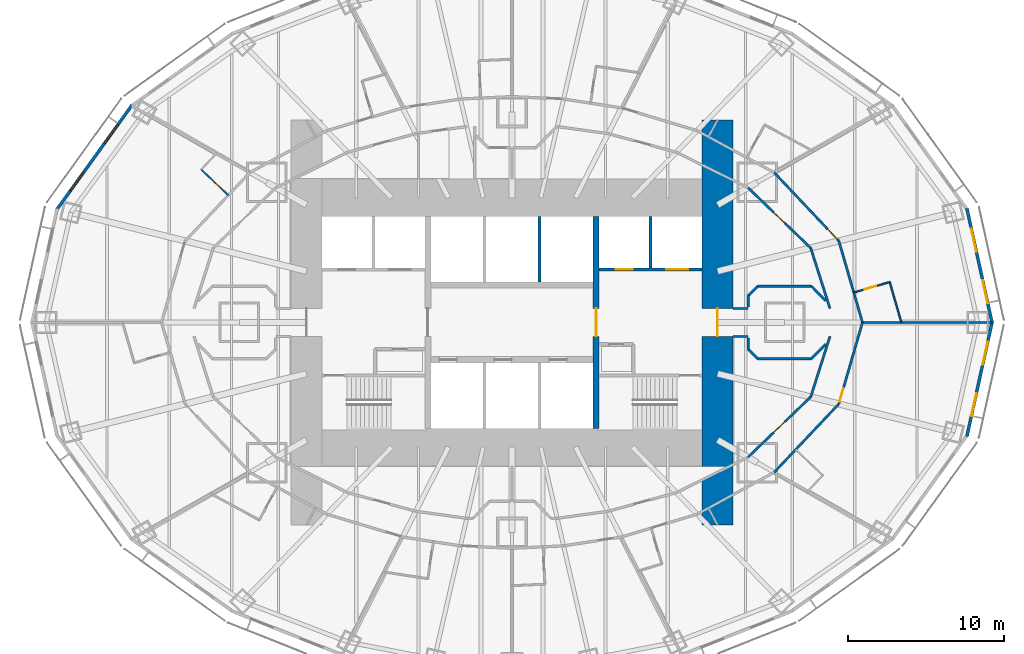
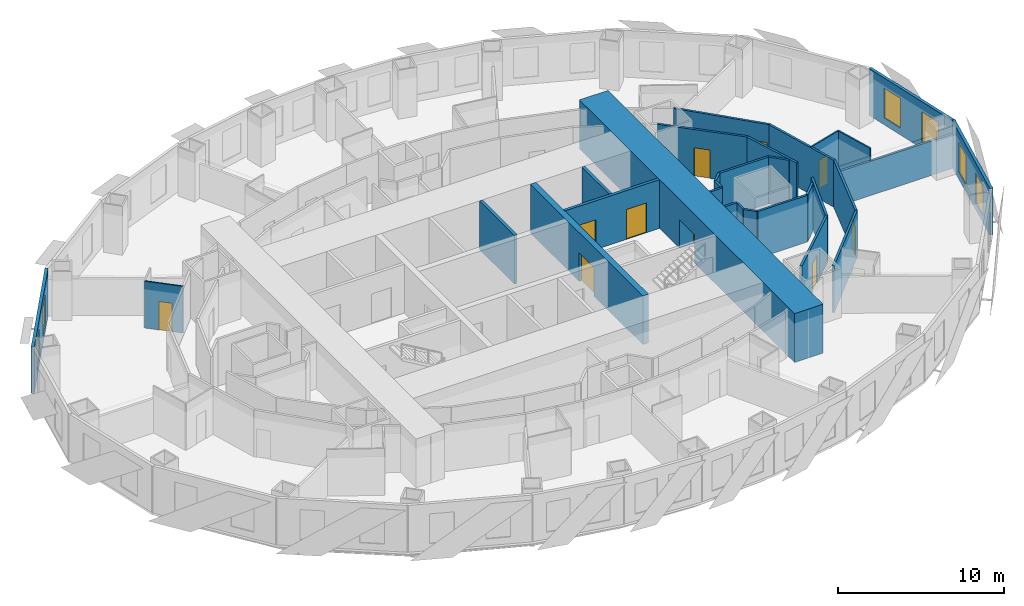
# One storey, part 8 of 15: 30 walls, 10 doors, 6 windows, 16 openings.
"""IFC4 building model written with IfcOpenShell, lengths in metres."""

from ifc_helpers import new_model, si_unit, direction, frame, frame_2d, origin, place, context, subcontext, project, spatial, rectangle, extrude, material, layer, layer_set, type_object, element, fill, save


model = new_model("IFC4")

# Units and contexts
model_context = context("Model", 3, precision=1e-05, world=origin(), true_north=direction((0.0, 1.0)))
body_context = subcontext(model_context, "Body", "Model", "MODEL_VIEW")
ifc_project = project(units=[si_unit("LENGTHUNIT", "METRE"), si_unit("AREAUNIT", "SQUARE_METRE"), si_unit("VOLUMEUNIT", "CUBIC_METRE"), si_unit("PLANEANGLEUNIT", "RADIAN"), si_unit("MASSUNIT", "GRAM", prefix="KILO")], contexts=[model_context])

# Site, building, storey
site_placement = place(None, origin())
site = spatial("IfcSite", under=ifc_project, at=site_placement, CompositionType="ELEMENT")
building_placement = place(site_placement, origin())
building = spatial("IfcBuilding", under=site, at=building_placement, Name="Lantaw Convention Tower", CompositionType="ELEMENT")
storey_placement = place(building_placement, frame((0.0, 0.0, 87.39990234375)))
storey = spatial("IfcBuildingStorey", under=building, at=storey_placement, Name="L20", CompositionType="ELEMENT", Elevation=87.39990234375)

# Wall, opening, door
ifc_material_1 = material(Name="Moisture resistant gypsum board on steel studs", Category="steel")
ifc_layer_1 = layer(ifc_material_1, 0.10009765625)
ifc_layer_set_1 = layer_set([ifc_layer_1], Name="Bathroom wall 100")
wall_type_1 = type_object("IfcWallType", Name="Bathroom wall 100", PredefinedType="PARTITIONING", material=ifc_layer_set_1)
wall_1_placement = place(storey_placement, frame((21.943359375, 1.9208984375, 0.0), z_axis=(0.0, 0.0, 1.0), x_axis=(0.960496317326, 0.278292695563, 0.0)))
wall_1 = element("IfcWall", 1, at=wall_1_placement, inside=storey, type_object=wall_type_1, Name="Bathroom wall 100", PredefinedType="PARTITIONING", context=body_context, shape_type="SweptSolid", body=[
    extrude(rectangle(XDim=2.400146484375, YDim=0.10009765625, at=frame_2d((1.2001953125, 0.0))), origin(), (0.0, 0.0, 1.0), 3.4501953125),
])
opening_1_placement = place(wall_1_placement, frame((0.699951171875, 0.0, 0.0)))
opening_1 = element("IfcOpeningElement", 2, at=opening_1_placement, cuts=wall_1, Name="Opening L20.26", PredefinedType="OPENING", context=body_context, shape_type="SweptSolid", body=[
    extrude(rectangle(XDim=0.800048828125, YDim=2.10009765625, at=frame_2d((0.39990234375, 1.050048828125))), frame((0.0, 0.06005859375, 0.0), z_axis=(0.0, -1.0, 0.0), x_axis=(1.0, 0.0, 0.0)), (0.0, 0.0, 1.0), 0.1201171875),
])
ifc_material_2 = material(Name="Timber", Category="wood")
door_type_1 = type_object("IfcDoorType", Name="Bathroom door 800", OperationType="SINGLE_SWING_LEFT", PredefinedType="DOOR", material=ifc_material_2)
door_1_placement = place(opening_1_placement, origin())
door_1 = element("IfcDoor", 3, at=door_1_placement, inside=storey, type_object=door_type_1, Name="Bathroom door", OperationType="SINGLE_SWING_LEFT", OverallHeight=2.10009765625, OverallWidth=0.800048828125, PredefinedType="DOOR", context=body_context, shape_type="SweptSolid", body=[
    extrude(rectangle(XDim=0.800048828125, YDim=2.10009765625, at=frame_2d((0.39990234375, 1.050048828125))), frame((0.0, 0.02490234375, 0.0), z_axis=(0.0, -1.0, 0.0), x_axis=(1.0, 0.0, 0.0)), (0.0, 0.0, 1.0), 0.050048828125),
])
fill(opening_1, door_1)

# Wall
wall_2_placement = place(storey_placement, frame((24.248779296875, 2.5888671875, 0.0), z_axis=(0.0, 0.0, 1.0), x_axis=(0.278260412958, -0.960505670249, 0.0)))
element("IfcWall", 4, at=wall_2_placement, inside=storey, type_object=wall_type_1, Name="Bathroom wall 100", PredefinedType="PARTITIONING", context=body_context, shape_type="SweptSolid", body=[
    extrude(rectangle(XDim=2.6953125, YDim=0.10009765625, at=frame_2d((1.34765625, 0.0))), origin(), (0.0, 0.0, 1.0), 3.4501953125),
])

# Wall, opening, door
wall_3_placement = place(storey_placement, frame((-18.209228515625, 8.166748046875, 0.0), z_axis=(0.0, 0.0, 1.0), x_axis=(-0.726567238928, 0.687095369885, 0.0)))
wall_3 = element("IfcWall", 5, at=wall_3_placement, inside=storey, type_object=wall_type_1, Name="Bathroom wall 100", PredefinedType="PARTITIONING", context=body_context, shape_type="SweptSolid", body=[
    extrude(rectangle(XDim=2.39990234375, YDim=0.10009765625, at=frame_2d((1.199951171875, 0.0))), origin(), (0.0, 0.0, 1.0), 3.4501953125),
])
opening_2_placement = place(wall_3_placement, frame((0.699951171875, 0.0, 0.0)))
opening_2 = element("IfcOpeningElement", 6, at=opening_2_placement, cuts=wall_3, Name="Opening L20.36", PredefinedType="OPENING", context=body_context, shape_type="SweptSolid", body=[
    extrude(rectangle(XDim=0.800048828125, YDim=2.10009765625, at=frame_2d((0.39990234375, 1.050048828125))), frame((0.0, 0.06005859375, 0.0), z_axis=(0.0, -1.0, 0.0), x_axis=(1.0, 0.0, 0.0)), (0.0, 0.0, 1.0), 0.1201171875),
])
door_2_placement = place(opening_2_placement, origin())
door_2 = element("IfcDoor", 7, at=door_2_placement, inside=storey, type_object=door_type_1, Name="Bathroom door", OperationType="SINGLE_SWING_LEFT", OverallHeight=2.10009765625, OverallWidth=0.800048828125, PredefinedType="DOOR", context=body_context, shape_type="SweptSolid", body=[
    extrude(rectangle(XDim=0.800048828125, YDim=2.10009765625, at=frame_2d((0.39990234375, 1.050048828125))), frame((0.0, 0.02490234375, 0.0), z_axis=(0.0, -1.0, 0.0), x_axis=(1.0, 0.0, 0.0)), (0.0, 0.0, 1.0), 0.050048828125),
])
fill(opening_2, door_2)

ifc_material_3 = material(Name="Concrete C60/75", Category="concrete")
ifc_layer_2 = layer(ifc_material_3, 2.0)
ifc_layer_set_2 = layer_set([ifc_layer_2], Name="Core wall 2000")
wall_type_2 = type_object("IfcWallType", Name="Core wall 2000", PredefinedType="SHEAR", material=ifc_layer_set_2)
wall_4_placement = place(storey_placement, frame((13.199951171875, -13.0, 0.0), z_axis=(0.0, 0.0, 1.0), x_axis=(0.0, 1.0, 0.0)))
wall_4 = element("IfcWall", 8, at=wall_4_placement, inside=storey, type_object=wall_type_2, Name="Core wall E", PredefinedType="SHEAR", context=body_context, shape_type="SweptSolid", body=[
    extrude(rectangle(XDim=26.0, YDim=2.0, at=frame_2d((13.0, 0.0))), origin(), (0.0, 0.0, 1.0), 3.60009765625),
])
opening_3_placement = place(wall_4_placement, frame((12.10009765625, 0.0, 0.0)))
opening_3 = element("IfcOpeningElement", 9, at=opening_3_placement, cuts=wall_4, Name="Opening L20.07", PredefinedType="OPENING", context=body_context, shape_type="SweptSolid", body=[
    extrude(rectangle(XDim=1.800048828125, YDim=2.10009765625, at=frame_2d((0.89990234375, 1.050048828125))), frame((0.0, 1.010009765625, 0.0), z_axis=(0.0, -1.0, 0.0), x_axis=(1.0, 0.0, 0.0)), (0.0, 0.0, 1.0), 2.02001953125),
])
ifc_material_4 = material(Name="Steel, fire rated", Category="steel")
door_type_2 = type_object("IfcDoorType", Name="Lobby double door FD90", OperationType="DOUBLE_DOOR_DOUBLE_SWING", PredefinedType="DOOR", material=ifc_material_4)
door_3_placement = place(opening_3_placement, origin())
door_3 = element("IfcDoor", 10, at=door_3_placement, inside=storey, type_object=door_type_2, Name="Firefighting lobby door", OperationType="DOUBLE_DOOR_DOUBLE_SWING", OverallHeight=2.10009765625, OverallWidth=1.800048828125, PredefinedType="DOOR", context=body_context, shape_type="SweptSolid", body=[
    extrude(rectangle(XDim=1.800048828125, YDim=2.10009765625, at=frame_2d((0.89990234375, 1.050048828125))), frame((0.0, 0.02490234375, 0.0), z_axis=(0.0, -1.0, 0.0), x_axis=(1.0, 0.0, 0.0)), (0.0, 0.0, 1.0), 0.050048828125),
])
fill(opening_3, door_3)

ifc_layer_3 = layer(ifc_material_3, 0.39990234375)
ifc_layer_set_3 = layer_set([ifc_layer_3], Name="Core wall 400")
wall_type_3 = type_object("IfcWallType", Name="Core wall 400", PredefinedType="SHEAR", material=ifc_layer_set_3)
wall_5_placement = place(storey_placement, frame((5.39990234375, -6.800048828125, 0.0), z_axis=(0.0, 0.0, 1.0), x_axis=(0.0, 1.0, 0.0)))
wall_5 = element("IfcWall", 11, at=wall_5_placement, inside=storey, type_object=wall_type_3, Name="Core wall XE", PredefinedType="SHEAR", context=body_context, shape_type="SweptSolid", body=[
    extrude(rectangle(XDim=13.60009765625, YDim=0.39990234375, at=frame_2d((6.800048828125, 0.0))), origin(), (0.0, 0.0, 1.0), 3.60009765625),
])
opening_4_placement = place(wall_5_placement, frame((5.89990234375, 0.0, 0.0)))
opening_4 = element("IfcOpeningElement", 12, at=opening_4_placement, cuts=wall_5, Name="Opening L20.03", PredefinedType="OPENING", context=body_context, shape_type="SweptSolid", body=[
    extrude(rectangle(XDim=1.800048828125, YDim=2.10009765625, at=frame_2d((0.89990234375, 1.050048828125))), frame((0.0, 0.2099609375, 0.0), z_axis=(0.0, -1.0, 0.0), x_axis=(1.0, 0.0, 0.0)), (0.0, 0.0, 1.0), 0.419921875),
])
door_4_placement = place(opening_4_placement, origin())
door_4 = element("IfcDoor", 13, at=door_4_placement, inside=storey, type_object=door_type_2, Name="Lift lobby door", OperationType="DOUBLE_DOOR_DOUBLE_SWING", OverallHeight=2.10009765625, OverallWidth=1.800048828125, PredefinedType="DOOR", context=body_context, shape_type="SweptSolid", body=[
    extrude(rectangle(XDim=1.800048828125, YDim=2.10009765625, at=frame_2d((0.89990234375, 1.050048828125))), frame((0.0, 0.02490234375, 0.0), z_axis=(0.0, -1.0, 0.0), x_axis=(1.0, 0.0, 0.0)), (0.0, 0.0, 1.0), 0.050048828125),
])
fill(opening_4, door_4)

# Wall
ifc_material_5 = material(Name="Gypsum board on steel studs, fire rated", Category="steel")
ifc_layer_4 = layer(ifc_material_5, 0.14990234375)
ifc_layer_set_4 = layer_set([ifc_layer_4], Name="Corridor wall 150 EI 60")
wall_type_4 = type_object("IfcWallType", Name="Corridor wall 150 EI 60", PredefinedType="PARTITIONING", material=ifc_layer_set_4)
wall_6_placement = place(storey_placement, frame((22.5, 0.0, 0.0), z_axis=(0.0, 0.0, 1.0), x_axis=(-0.278247435376, 0.960509429785, 0.0)))
element("IfcWall", 14, at=wall_6_placement, inside=storey, type_object=wall_type_4, Name="Corridor wall 150", PredefinedType="PARTITIONING", context=body_context, shape_type="SweptSolid", body=[
    extrude(rectangle(XDim=5.447021484375, YDim=0.14990234375, at=frame_2d((2.7236328125, 0.0))), origin(), (0.0, 0.0, 1.0), 3.4501953125),
])

# Wall, opening, door
wall_7_placement = place(storey_placement, frame((20.984375, 5.23193359375, 0.0), z_axis=(0.0, 0.0, 1.0), x_axis=(-0.687062608696, 0.726598218916, 0.0)))
wall_7 = element("IfcWall", 15, at=wall_7_placement, inside=storey, type_object=wall_type_4, Name="Corridor wall 150", PredefinedType="PARTITIONING", context=body_context, shape_type="SweptSolid", body=[
    extrude(rectangle(XDim=6.039306640625, YDim=0.14990234375, at=frame_2d((3.01953125, 0.0))), origin(), (0.0, 0.0, 1.0), 3.4501953125),
])
opening_5_placement = place(wall_7_placement, frame((0.14990234375, 0.0, 0.0)))
opening_5 = element("IfcOpeningElement", 16, at=opening_5_placement, cuts=wall_7, Name="Opening L20.27", PredefinedType="OPENING", context=body_context, shape_type="SweptSolid", body=[
    extrude(rectangle(XDim=0.89990234375, YDim=2.10009765625, at=frame_2d((0.449951171875, 1.050048828125))), frame((0.0, 0.0849609375, 0.0), z_axis=(0.0, -1.0, 0.0), x_axis=(1.0, 0.0, 0.0)), (0.0, 0.0, 1.0), 0.169921875),
])
door_type_3 = type_object("IfcDoorType", Name="Guest room entrance door FD30S", OperationType="SINGLE_SWING_LEFT", PredefinedType="DOOR", material=ifc_material_4)
door_5_placement = place(opening_5_placement, origin())
door_5 = element("IfcDoor", 17, at=door_5_placement, inside=storey, type_object=door_type_3, Name="Junior suite entrance door", OperationType="SINGLE_SWING_LEFT", OverallHeight=2.10009765625, OverallWidth=0.89990234375, PredefinedType="DOOR", context=body_context, shape_type="SweptSolid", body=[
    extrude(rectangle(XDim=0.89990234375, YDim=2.10009765625, at=frame_2d((0.449951171875, 1.050048828125))), frame((0.0, 0.02490234375, 0.0), z_axis=(0.0, -1.0, 0.0), x_axis=(1.0, 0.0, 0.0)), (0.0, 0.0, 1.0), 0.050048828125),
])
fill(opening_5, door_5)

# Wall
wall_8_placement = place(storey_placement, frame((16.8349609375, -9.6201171875, 0.0), z_axis=(0.0, 0.0, 1.0), x_axis=(0.687062608696, 0.726598218916, 0.0)))
element("IfcWall", 18, at=wall_8_placement, inside=storey, type_object=wall_type_4, Name="Corridor wall 150", PredefinedType="PARTITIONING", context=body_context, shape_type="SweptSolid", body=[
    extrude(rectangle(XDim=6.039306640625, YDim=0.14990234375, at=frame_2d((3.01953125, 0.0))), origin(), (0.0, 0.0, 1.0), 3.4501953125),
])

# Wall, opening, door
wall_9_placement = place(storey_placement, frame((20.984375, -5.23193359375, 0.0), z_axis=(0.0, 0.0, 1.0), x_axis=(0.278247435376, 0.960509429785, 0.0)))
wall_9 = element("IfcWall", 19, at=wall_9_placement, inside=storey, type_object=wall_type_4, Name="Corridor wall 150", PredefinedType="PARTITIONING", context=body_context, shape_type="SweptSolid", body=[
    extrude(rectangle(XDim=5.447021484375, YDim=0.14990234375, at=frame_2d((2.7236328125, 0.0))), origin(), (0.0, 0.0, 1.0), 3.4501953125),
])
opening_6_placement = place(wall_9_placement, frame((0.14990234375, 0.0, 0.0)))
opening_6 = element("IfcOpeningElement", 20, at=opening_6_placement, cuts=wall_9, Name="Opening L20.49", PredefinedType="OPENING", context=body_context, shape_type="SweptSolid", body=[
    extrude(rectangle(XDim=0.89990234375, YDim=2.10009765625, at=frame_2d((0.449951171875, 1.050048828125))), frame((0.0, 0.0849609375, 0.0), z_axis=(0.0, -1.0, 0.0), x_axis=(1.0, 0.0, 0.0)), (0.0, 0.0, 1.0), 0.169921875),
])
door_6_placement = place(opening_6_placement, origin())
door_6 = element("IfcDoor", 21, at=door_6_placement, inside=storey, type_object=door_type_3, Name="Junior suite entrance door", OperationType="SINGLE_SWING_LEFT", OverallHeight=2.10009765625, OverallWidth=0.89990234375, PredefinedType="DOOR", context=body_context, shape_type="SweptSolid", body=[
    extrude(rectangle(XDim=0.89990234375, YDim=2.10009765625, at=frame_2d((0.449951171875, 1.050048828125))), frame((0.0, 0.02490234375, 0.0), z_axis=(0.0, -1.0, 0.0), x_axis=(1.0, 0.0, 0.0)), (0.0, 0.0, 1.0), 0.050048828125),
])
fill(opening_6, door_6)

# Wall
wall_10_placement = place(storey_placement, frame((20.413330078125, 0.89990234375, 0.0), z_axis=(0.0, 0.0, 1.0), x_axis=(-0.303505448228, 0.952829702988, 0.0)))
element("IfcWall", 22, at=wall_10_placement, inside=storey, type_object=wall_type_4, Name="Corridor wall 150", PredefinedType="PARTITIONING", context=body_context, shape_type="SweptSolid", body=[
    extrude(rectangle(XDim=4.073486328125, YDim=0.14990234375, at=frame_2d((2.03662109375, 0.0))), origin(), (0.0, 0.0, 1.0), 3.4501953125),
])

# Wall, opening, door
wall_11_placement = place(storey_placement, frame((19.177001953125, 4.78125, 0.0), z_axis=(0.0, 0.0, 1.0), x_axis=(-0.720837261072, 0.693104352209, 0.0)))
wall_11 = element("IfcWall", 23, at=wall_11_placement, inside=storey, type_object=wall_type_4, Name="Corridor wall 150", PredefinedType="PARTITIONING", context=body_context, shape_type="SweptSolid", body=[
    extrude(rectangle(XDim=5.590087890625, YDim=0.14990234375, at=frame_2d((2.794921875, 0.0))), origin(), (0.0, 0.0, 1.0), 3.4501953125),
])
opening_7_placement = place(wall_11_placement, frame((2.294921875, 0.0, 0.0)))
opening_7 = element("IfcOpeningElement", 24, at=opening_7_placement, cuts=wall_11, Name="Opening L20.17", PredefinedType="OPENING", context=body_context, shape_type="SweptSolid", body=[
    extrude(rectangle(XDim=1.0, YDim=2.10009765625, at=frame_2d((0.5, 1.050048828125))), frame((0.0, 0.0849609375, 0.0), z_axis=(0.0, -1.0, 0.0), x_axis=(1.0, 0.0, 0.0)), (0.0, 0.0, 1.0), 0.169921875),
])
door_type_4 = type_object("IfcDoorType", Name="Service door 1000 FD30", OperationType="SINGLE_SWING_LEFT", PredefinedType="DOOR", material=ifc_material_4)
door_7_placement = place(opening_7_placement, origin())
door_7 = element("IfcDoor", 25, at=door_7_placement, inside=storey, type_object=door_type_4, Name="Linen store door", OperationType="SINGLE_SWING_LEFT", OverallHeight=2.10009765625, OverallWidth=1.0, PredefinedType="DOOR", context=body_context, shape_type="SweptSolid", body=[
    extrude(rectangle(XDim=1.0, YDim=2.10009765625, at=frame_2d((0.5, 1.050048828125))), frame((0.0, 0.02490234375, 0.0), z_axis=(0.0, -1.0, 0.0), x_axis=(1.0, 0.0, 0.0)), (0.0, 0.0, 1.0), 0.050048828125),
])
fill(opening_7, door_7)

wall_12_placement = place(storey_placement, frame((15.1474609375, -8.65576171875, 0.0), z_axis=(0.0, 0.0, 1.0), x_axis=(0.720837261072, 0.693104352209, 0.0)))
wall_12 = element("IfcWall", 26, at=wall_12_placement, inside=storey, type_object=wall_type_4, Name="Corridor wall 150", PredefinedType="PARTITIONING", context=body_context, shape_type="SweptSolid", body=[
    extrude(rectangle(XDim=5.590087890625, YDim=0.14990234375, at=frame_2d((2.794921875, 0.0))), origin(), (0.0, 0.0, 1.0), 3.4501953125),
])
opening_8_placement = place(wall_12_placement, frame((2.294921875, 0.0, 0.0)))
opening_8 = element("IfcOpeningElement", 27, at=opening_8_placement, cuts=wall_12, Name="Opening L20.25", PredefinedType="OPENING", context=body_context, shape_type="SweptSolid", body=[
    extrude(rectangle(XDim=1.0, YDim=2.10009765625, at=frame_2d((0.5, 1.050048828125))), frame((0.0, 0.0849609375, 0.0), z_axis=(0.0, -1.0, 0.0), x_axis=(1.0, 0.0, 0.0)), (0.0, 0.0, 1.0), 0.169921875),
])
door_8_placement = place(opening_8_placement, origin())
door_8 = element("IfcDoor", 28, at=door_8_placement, inside=storey, type_object=door_type_4, Name="Room service pantry door", OperationType="SINGLE_SWING_LEFT", OverallHeight=2.10009765625, OverallWidth=1.0, PredefinedType="DOOR", context=body_context, shape_type="SweptSolid", body=[
    extrude(rectangle(XDim=1.0, YDim=2.10009765625, at=frame_2d((0.5, 1.050048828125))), frame((0.0, 0.02490234375, 0.0), z_axis=(0.0, -1.0, 0.0), x_axis=(1.0, 0.0, 0.0)), (0.0, 0.0, 1.0), 0.050048828125),
])
fill(opening_8, door_8)

# Walls
wall_13_placement = place(storey_placement, frame((19.177001953125, -4.78125, 0.0), z_axis=(0.0, 0.0, 1.0), x_axis=(0.303505448228, 0.952829702988, 0.0)))
element("IfcWall", 29, at=wall_13_placement, inside=storey, type_object=wall_type_4, Name="Corridor wall 150", PredefinedType="PARTITIONING", context=body_context, shape_type="SweptSolid", body=[
    extrude(rectangle(XDim=4.073486328125, YDim=0.14990234375, at=frame_2d((2.03662109375, 0.0))), origin(), (0.0, 0.0, 1.0), 3.4501953125),
])
for number, where, z_axis, x_axis, name in (
    (30, (14.199951171875, -0.89990234375, 0.0), (0.0, 0.0, 1.0), (1.0, 0.0, 0.0), "Corridor wall 150"),
    (31, (14.199951171875, 0.89990234375, 0.0), (0.0, 0.0, 1.0), (1.0, 0.0, 0.0), "Corridor wall 150"),
):
    element("IfcWall", number, at=place(storey_placement, frame(where, z_axis=z_axis, x_axis=x_axis)), inside=storey, type_object=wall_type_4, Name=name, PredefinedType="PARTITIONING", context=body_context, shape_type="SweptSolid", body=[
        extrude(rectangle(XDim=0.965087890625, YDim=0.14990234375, at=frame_2d((0.482421875, 0.0))), origin(), (0.0, 0.0, 1.0), 3.4501953125),
    ])
wall_14_placement = place(storey_placement, frame((15.175048828125, 1.003173828125, 0.0), z_axis=(0.0, 0.0, 1.0), x_axis=(0.0, 1.0, 0.0)))
element("IfcWall", 32, at=wall_14_placement, inside=storey, type_object=wall_type_4, Name="Corridor wall 150", PredefinedType="PARTITIONING", context=body_context, shape_type="SweptSolid", body=[
    extrude(rectangle(XDim=0.721435546875, YDim=0.14990234375, at=frame_2d((0.36083984375, 0.0))), origin(), (0.0, 0.0, 1.0), 3.4501953125),
])
wall_15_placement = place(storey_placement, frame((15.175048828125, 1.724609375, 0.0), z_axis=(0.0, 0.0, 1.0), x_axis=(0.707106781187, 0.707106781187, 0.0)))
element("IfcWall", 33, at=wall_15_placement, inside=storey, type_object=wall_type_4, Name="Corridor wall 150", PredefinedType="PARTITIONING", context=body_context, shape_type="SweptSolid", body=[
    extrude(rectangle(XDim=0.84912109375, YDim=0.14990234375, at=frame_2d((0.424560546875, 0.0))), origin(), (0.0, 0.0, 1.0), 3.4501953125),
])
wall_16_placement = place(storey_placement, frame((15.775390625, 2.324951171875, 0.0), z_axis=(0.0, 0.0, 1.0), x_axis=(1.0, 0.0, 0.0)))
element("IfcWall", 34, at=wall_16_placement, inside=storey, type_object=wall_type_4, Name="Corridor wall 150", PredefinedType="PARTITIONING", context=body_context, shape_type="SweptSolid", body=[
    extrude(rectangle(XDim=3.44921875, YDim=0.14990234375, at=frame_2d((1.724609375, 0.0))), origin(), (0.0, 0.0, 1.0), 3.4501953125),
])
for number, where, z_axis, x_axis, name in (
    (35, (19.224609375, 2.324951171875, 0.0), (0.0, 0.0, 1.0), (0.700694560486, -0.713461374501, 0.0), "Corridor wall 150"),
    (36, (20.149169921875, -1.383544921875, 0.0), (0.0, 0.0, 1.0), (-0.700694560486, -0.713461374501, 0.0), "Corridor wall 150"),
):
    element("IfcWall", number, at=place(storey_placement, frame(where, z_axis=z_axis, x_axis=x_axis)), inside=storey, type_object=wall_type_4, Name=name, PredefinedType="PARTITIONING", context=body_context, shape_type="SweptSolid", body=[
        extrude(rectangle(XDim=1.319580078125, YDim=0.14990234375, at=frame_2d((0.65966796875, 0.0))), origin(), (0.0, 0.0, 1.0), 3.4501953125),
    ])
wall_17_placement = place(storey_placement, frame((19.224609375, -2.324951171875, 0.0), z_axis=(0.0, 0.0, 1.0), x_axis=(-1.0, 0.0, 0.0)))
element("IfcWall", 37, at=wall_17_placement, inside=storey, type_object=wall_type_4, Name="Corridor wall 150", PredefinedType="PARTITIONING", context=body_context, shape_type="SweptSolid", body=[
    extrude(rectangle(XDim=3.44921875, YDim=0.14990234375, at=frame_2d((1.724609375, 0.0))), origin(), (0.0, 0.0, 1.0), 3.4501953125),
])
wall_18_placement = place(storey_placement, frame((15.775390625, -2.324951171875, 0.0), z_axis=(0.0, 0.0, 1.0), x_axis=(-0.707106781187, 0.707106781187, 0.0)))
element("IfcWall", 38, at=wall_18_placement, inside=storey, type_object=wall_type_4, Name="Corridor wall 150", PredefinedType="PARTITIONING", context=body_context, shape_type="SweptSolid", body=[
    extrude(rectangle(XDim=0.84912109375, YDim=0.14990234375, at=frame_2d((0.424560546875, 0.0))), origin(), (0.0, 0.0, 1.0), 3.4501953125),
])
wall_19_placement = place(storey_placement, frame((15.175048828125, -1.724609375, 0.0), z_axis=(0.0, 0.0, 1.0), x_axis=(0.0, 1.0, 0.0)))
element("IfcWall", 39, at=wall_19_placement, inside=storey, type_object=wall_type_4, Name="Corridor wall 150", PredefinedType="PARTITIONING", context=body_context, shape_type="SweptSolid", body=[
    extrude(rectangle(XDim=0.721435546875, YDim=0.14990234375, at=frame_2d((0.36083984375, 0.0))), origin(), (0.0, 0.0, 1.0), 3.4501953125),
])

# Wall, openings, windows
ifc_material_6 = material(Name="Insulated aluminium panel on steel frame", Category="steel")
ifc_layer_5 = layer(ifc_material_6, 0.199951171875)
ifc_layer_set_5 = layer_set([ifc_layer_5], Name="External wall 200")
wall_type_5 = type_object("IfcWallType", Name="External wall 200", PredefinedType="SOLIDWALL", material=ifc_layer_set_5)
wall_20_placement = place(storey_placement, frame((30.83544921875, -0.06689453125, 0.0), z_axis=(0.0, 0.0, 1.0), x_axis=(-0.215238065514, 0.976561608478, 0.0)))
wall_20 = element("IfcWall", 40, at=wall_20_placement, inside=storey, type_object=wall_type_5, Name="Facade panel wall", PredefinedType="SOLIDWALL", context=body_context, shape_type="SweptSolid", body=[
    extrude(rectangle(XDim=7.562255859375, YDim=0.199951171875, at=frame_2d((3.78125, 0.0))), origin(), (0.0, 0.0, 1.0), 3.4501953125),
])
opening_9_placement = place(wall_20_placement, frame((1.340576171875, 0.0, 0.5)))
opening_9 = element("IfcOpeningElement", 41, at=opening_9_placement, cuts=wall_20, Name="Opening W2", PredefinedType="OPENING", context=body_context, shape_type="SweptSolid", body=[
    extrude(rectangle(XDim=1.5, YDim=2.199951171875, at=frame_2d((0.75, 1.10009765625))), frame((0.0, 0.10986328125, 0.0), z_axis=(0.0, -1.0, 0.0), x_axis=(1.0, 0.0, 0.0)), (0.0, 0.0, 1.0), 0.219970703125),
])
opening_10_placement = place(wall_20_placement, frame((4.7216796875, 0.0, 0.5)))
opening_10 = element("IfcOpeningElement", 42, at=opening_10_placement, cuts=wall_20, Name="Opening W2", PredefinedType="OPENING", context=body_context, shape_type="SweptSolid", body=[
    extrude(rectangle(XDim=1.5, YDim=2.199951171875, at=frame_2d((0.75, 1.10009765625))), frame((0.0, 0.10986328125, 0.0), z_axis=(0.0, -1.0, 0.0), x_axis=(1.0, 0.0, 0.0)), (0.0, 0.0, 1.0), 0.219970703125),
])
ifc_material_7 = material(Name="Aluminium frame, clear insulating glass", Category="aluminium")
window_type = type_object("IfcWindowType", Name="Suite window 1500x2200", PartitioningType="SINGLE_PANEL", PredefinedType="WINDOW", material=ifc_material_7)
window_1_placement = place(opening_9_placement, origin())
window_1 = element("IfcWindow", 43, at=window_1_placement, inside=storey, type_object=window_type, Name="Guest room window", OverallHeight=2.199951171875, OverallWidth=1.5, PartitioningType="SINGLE_PANEL", PredefinedType="WINDOW", context=body_context, shape_type="SweptSolid", body=[
    extrude(rectangle(XDim=1.5, YDim=2.199951171875, at=frame_2d((0.75, 1.10009765625))), frame((0.0, 0.030029296875, 0.0), z_axis=(0.0, -1.0, 0.0), x_axis=(1.0, 0.0, 0.0)), (0.0, 0.0, 1.0), 0.06005859375),
])
fill(opening_9, window_1)
window_2_placement = place(opening_10_placement, origin())
window_2 = element("IfcWindow", 44, at=window_2_placement, inside=storey, type_object=window_type, Name="Guest room window", OverallHeight=2.199951171875, OverallWidth=1.5, PartitioningType="SINGLE_PANEL", PredefinedType="WINDOW", context=body_context, shape_type="SweptSolid", body=[
    extrude(rectangle(XDim=1.5, YDim=2.199951171875, at=frame_2d((0.75, 1.10009765625))), frame((0.0, 0.030029296875, 0.0), z_axis=(0.0, -1.0, 0.0), x_axis=(1.0, 0.0, 0.0)), (0.0, 0.0, 1.0), 0.06005859375),
])
fill(opening_10, window_2)

wall_21_placement = place(storey_placement, frame((-24.400390625, 13.95654296875, 0.0), z_axis=(0.0, 0.0, 1.0), x_axis=(-0.583937613703, -0.811798536155, 0.0)))
wall_21 = element("IfcWall", 45, at=wall_21_placement, inside=storey, type_object=wall_type_5, Name="Facade panel wall", PredefinedType="SOLIDWALL", context=body_context, shape_type="SweptSolid", body=[
    extrude(rectangle(XDim=8.322998046875, YDim=0.199951171875, at=frame_2d((4.16162109375, 0.0))), origin(), (0.0, 0.0, 1.0), 3.4501953125),
])
opening_11_placement = place(wall_21_placement, frame((1.53076171875, 0.0, 0.5)))
opening_11 = element("IfcOpeningElement", 46, at=opening_11_placement, cuts=wall_21, Name="Opening W2", PredefinedType="OPENING", context=body_context, shape_type="SweptSolid", body=[
    extrude(rectangle(XDim=1.5, YDim=2.199951171875, at=frame_2d((0.75, 1.10009765625))), frame((0.0, 0.10986328125, 0.0), z_axis=(0.0, -1.0, 0.0), x_axis=(1.0, 0.0, 0.0)), (0.0, 0.0, 1.0), 0.219970703125),
])
opening_12_placement = place(wall_21_placement, frame((5.292236328125, 0.0, 0.5)))
opening_12 = element("IfcOpeningElement", 47, at=opening_12_placement, cuts=wall_21, Name="Opening W2", PredefinedType="OPENING", context=body_context, shape_type="SweptSolid", body=[
    extrude(rectangle(XDim=1.5, YDim=2.199951171875, at=frame_2d((0.75, 1.10009765625))), frame((0.0, 0.10986328125, 0.0), z_axis=(0.0, -1.0, 0.0), x_axis=(1.0, 0.0, 0.0)), (0.0, 0.0, 1.0), 0.219970703125),
])
window_3_placement = place(opening_11_placement, origin())
window_3 = element("IfcWindow", 48, at=window_3_placement, inside=storey, type_object=window_type, Name="Guest room window", OverallHeight=2.199951171875, OverallWidth=1.5, PartitioningType="SINGLE_PANEL", PredefinedType="WINDOW", context=body_context, shape_type="SweptSolid", body=[
    extrude(rectangle(XDim=1.5, YDim=2.199951171875, at=frame_2d((0.75, 1.10009765625))), frame((0.0, 0.030029296875, 0.0), z_axis=(0.0, -1.0, 0.0), x_axis=(1.0, 0.0, 0.0)), (0.0, 0.0, 1.0), 0.06005859375),
])
fill(opening_11, window_3)
window_4_placement = place(opening_12_placement, origin())
window_4 = element("IfcWindow", 49, at=window_4_placement, inside=storey, type_object=window_type, Name="Guest room window", OverallHeight=2.199951171875, OverallWidth=1.5, PartitioningType="SINGLE_PANEL", PredefinedType="WINDOW", context=body_context, shape_type="SweptSolid", body=[
    extrude(rectangle(XDim=1.5, YDim=2.199951171875, at=frame_2d((0.75, 1.10009765625))), frame((0.0, 0.030029296875, 0.0), z_axis=(0.0, -1.0, 0.0), x_axis=(1.0, 0.0, 0.0)), (0.0, 0.0, 1.0), 0.06005859375),
])
fill(opening_12, window_4)

wall_22_placement = place(storey_placement, frame((29.207763671875, -7.318115234375, 0.0), z_axis=(0.0, 0.0, 1.0), x_axis=(0.215238065514, 0.976561608478, 0.0)))
wall_22 = element("IfcWall", 50, at=wall_22_placement, inside=storey, type_object=wall_type_5, Name="Facade panel wall", PredefinedType="SOLIDWALL", context=body_context, shape_type="SweptSolid", body=[
    extrude(rectangle(XDim=7.562255859375, YDim=0.199951171875, at=frame_2d((3.78125, 0.0))), origin(), (0.0, 0.0, 1.0), 3.4501953125),
])
opening_13_placement = place(wall_22_placement, frame((1.340576171875, 0.0, 0.5)))
opening_13 = element("IfcOpeningElement", 51, at=opening_13_placement, cuts=wall_22, Name="Opening W2", PredefinedType="OPENING", context=body_context, shape_type="SweptSolid", body=[
    extrude(rectangle(XDim=1.5, YDim=2.199951171875, at=frame_2d((0.75, 1.10009765625))), frame((0.0, 0.10986328125, 0.0), z_axis=(0.0, -1.0, 0.0), x_axis=(1.0, 0.0, 0.0)), (0.0, 0.0, 1.0), 0.219970703125),
])
opening_14_placement = place(wall_22_placement, frame((4.7216796875, 0.0, 0.5)))
opening_14 = element("IfcOpeningElement", 52, at=opening_14_placement, cuts=wall_22, Name="Opening W2", PredefinedType="OPENING", context=body_context, shape_type="SweptSolid", body=[
    extrude(rectangle(XDim=1.5, YDim=2.199951171875, at=frame_2d((0.75, 1.10009765625))), frame((0.0, 0.10986328125, 0.0), z_axis=(0.0, -1.0, 0.0), x_axis=(1.0, 0.0, 0.0)), (0.0, 0.0, 1.0), 0.219970703125),
])
window_5_placement = place(opening_13_placement, origin())
window_5 = element("IfcWindow", 53, at=window_5_placement, inside=storey, type_object=window_type, Name="Guest room window", OverallHeight=2.199951171875, OverallWidth=1.5, PartitioningType="SINGLE_PANEL", PredefinedType="WINDOW", context=body_context, shape_type="SweptSolid", body=[
    extrude(rectangle(XDim=1.5, YDim=2.199951171875, at=frame_2d((0.75, 1.10009765625))), frame((0.0, 0.030029296875, 0.0), z_axis=(0.0, -1.0, 0.0), x_axis=(1.0, 0.0, 0.0)), (0.0, 0.0, 1.0), 0.06005859375),
])
fill(opening_13, window_5)
window_6_placement = place(opening_14_placement, origin())
window_6 = element("IfcWindow", 54, at=window_6_placement, inside=storey, type_object=window_type, Name="Guest room window", OverallHeight=2.199951171875, OverallWidth=1.5, PartitioningType="SINGLE_PANEL", PredefinedType="WINDOW", context=body_context, shape_type="SweptSolid", body=[
    extrude(rectangle(XDim=1.5, YDim=2.199951171875, at=frame_2d((0.75, 1.10009765625))), frame((0.0, 0.030029296875, 0.0), z_axis=(0.0, -1.0, 0.0), x_axis=(1.0, 0.0, 0.0)), (0.0, 0.0, 1.0), 0.06005859375),
])
fill(opening_14, window_6)

# Walls
ifc_material_8 = material(Name="Gypsum board on steel studs, acoustic", Category="steel")
ifc_layer_6 = layer(ifc_material_8, 0.14990234375)
ifc_layer_set_6 = layer_set([ifc_layer_6], Name="Guest room party wall 150")
wall_type_6 = type_object("IfcWallType", Name="Guest room party wall 150", PredefinedType="PARTITIONING", material=ifc_layer_set_6)
wall_23_placement = place(storey_placement, frame((30.82080078125, 0.0, 0.0), z_axis=(0.0, 0.0, 1.0), x_axis=(-1.0, 0.0, 0.0)))
element("IfcWall", 55, at=wall_23_placement, inside=storey, type_object=wall_type_6, Name="Guest room party wall 150", PredefinedType="PARTITIONING", context=body_context, shape_type="SweptSolid", body=[
    extrude(rectangle(XDim=8.32080078125, YDim=0.14990234375, at=frame_2d((4.160400390625, 0.0))), origin(), (0.0, 0.0, 1.0), 2.528076171875),
])
ifc_material_9 = material(Name="Concrete blockwork, fire rated", Category="masonry")
ifc_layer_7 = layer(ifc_material_9, 0.199951171875)
ifc_layer_set_7 = layer_set([ifc_layer_7], Name="Shaft wall 200")
wall_type_7 = type_object("IfcWallType", Name="Shaft wall 200", PredefinedType="SOLIDWALL", material=ifc_layer_set_7)
wall_24_placement = place(storey_placement, frame((1.7666015625, 2.60009765625, 0.0), z_axis=(0.0, 0.0, 1.0), x_axis=(0.0, 1.0, 0.0)))
element("IfcWall", 56, at=wall_24_placement, inside=storey, type_object=wall_type_7, Name="Shaft wall DN2", PredefinedType="SOLIDWALL", context=body_context, shape_type="SweptSolid", body=[
    extrude(rectangle(XDim=4.199951171875, YDim=0.199951171875, at=frame_2d((2.10009765625, 0.0))), origin(), (0.0, 0.0, 1.0), 3.60009765625),
])

# Wall, openings, doors
wall_25_placement = place(storey_placement, frame((12.199951171875, 3.39990234375, 0.0), z_axis=(0.0, 0.0, 1.0), x_axis=(-1.0, 0.0, 0.0)))
wall_25 = element("IfcWall", 57, at=wall_25_placement, inside=storey, type_object=wall_type_7, Name="Shaft wall EN", PredefinedType="SOLIDWALL", context=body_context, shape_type="SweptSolid", body=[
    extrude(rectangle(XDim=6.599853515625, YDim=0.199951171875, at=frame_2d((3.2998046875, 0.0))), origin(), (0.0, 0.0, 1.0), 3.60009765625),
])
opening_15_placement = place(wall_25_placement, frame((4.449951171875, 0.0, 0.0)))
opening_15 = element("IfcOpeningElement", 58, at=opening_15_placement, cuts=wall_25, Name="Opening L20.14", PredefinedType="OPENING", context=body_context, shape_type="SweptSolid", body=[
    extrude(rectangle(XDim=1.10009765625, YDim=2.199951171875, at=frame_2d((0.550048828125, 1.10009765625))), frame((0.0, 0.10986328125, 0.0), z_axis=(0.0, -1.0, 0.0), x_axis=(1.0, 0.0, 0.0)), (0.0, 0.0, 1.0), 0.219970703125),
])
opening_16_placement = place(wall_25_placement, frame((0.89990234375, 0.0, 0.0)))
opening_16 = element("IfcOpeningElement", 59, at=opening_16_placement, cuts=wall_25, Name="Opening L20.15", PredefinedType="OPENING", context=body_context, shape_type="SweptSolid", body=[
    extrude(rectangle(XDim=1.39990234375, YDim=2.199951171875, at=frame_2d((0.699951171875, 1.10009765625))), frame((0.0, 0.10986328125, 0.0), z_axis=(0.0, -1.0, 0.0), x_axis=(1.0, 0.0, 0.0)), (0.0, 0.0, 1.0), 0.219970703125),
])
ifc_material_10 = material(Name="Stainless steel", Category="steel")
door_type_5 = type_object("IfcDoorType", Name="Lift landing door 1100", OperationType="DOUBLE_DOOR_SLIDING", PredefinedType="DOOR", material=ifc_material_10)
door_9_placement = place(opening_15_placement, origin())
door_9 = element("IfcDoor", 60, at=door_9_placement, inside=storey, type_object=door_type_5, Name="Lift landing door FF2", OperationType="DOUBLE_DOOR_SLIDING", OverallHeight=2.199951171875, OverallWidth=1.10009765625, PredefinedType="DOOR", context=body_context, shape_type="SweptSolid", body=[
    extrude(rectangle(XDim=1.10009765625, YDim=2.199951171875, at=frame_2d((0.550048828125, 1.10009765625))), frame((0.0, 0.02490234375, 0.0), z_axis=(0.0, -1.0, 0.0), x_axis=(1.0, 0.0, 0.0)), (0.0, 0.0, 1.0), 0.050048828125),
])
fill(opening_15, door_9)
door_type_6 = type_object("IfcDoorType", Name="Lift landing door 1400", OperationType="DOUBLE_DOOR_SLIDING", PredefinedType="DOOR", material=ifc_material_10)
door_10_placement = place(opening_16_placement, origin())
door_10 = element("IfcDoor", 61, at=door_10_placement, inside=storey, type_object=door_type_6, Name="Lift landing door SV2", OperationType="DOUBLE_DOOR_SLIDING", OverallHeight=2.199951171875, OverallWidth=1.39990234375, PredefinedType="DOOR", context=body_context, shape_type="SweptSolid", body=[
    extrude(rectangle(XDim=1.39990234375, YDim=2.199951171875, at=frame_2d((0.699951171875, 1.10009765625))), frame((0.0, 0.02490234375, 0.0), z_axis=(0.0, -1.0, 0.0), x_axis=(1.0, 0.0, 0.0)), (0.0, 0.0, 1.0), 0.050048828125),
])
fill(opening_16, door_10)

# Wall
wall_26_placement = place(storey_placement, frame((8.89990234375, 3.5, 0.0), z_axis=(0.0, 0.0, 1.0), x_axis=(0.0, 1.0, 0.0)))
element("IfcWall", 62, at=wall_26_placement, inside=storey, type_object=wall_type_7, Name="Shaft wall ED", PredefinedType="SOLIDWALL", context=body_context, shape_type="SweptSolid", body=[
    extrude(rectangle(XDim=3.300048828125, YDim=0.199951171875, at=frame_2d((1.64990234375, 0.0))), origin(), (0.0, 0.0, 1.0), 3.60009765625),
])

save(model, "model.ifc")
